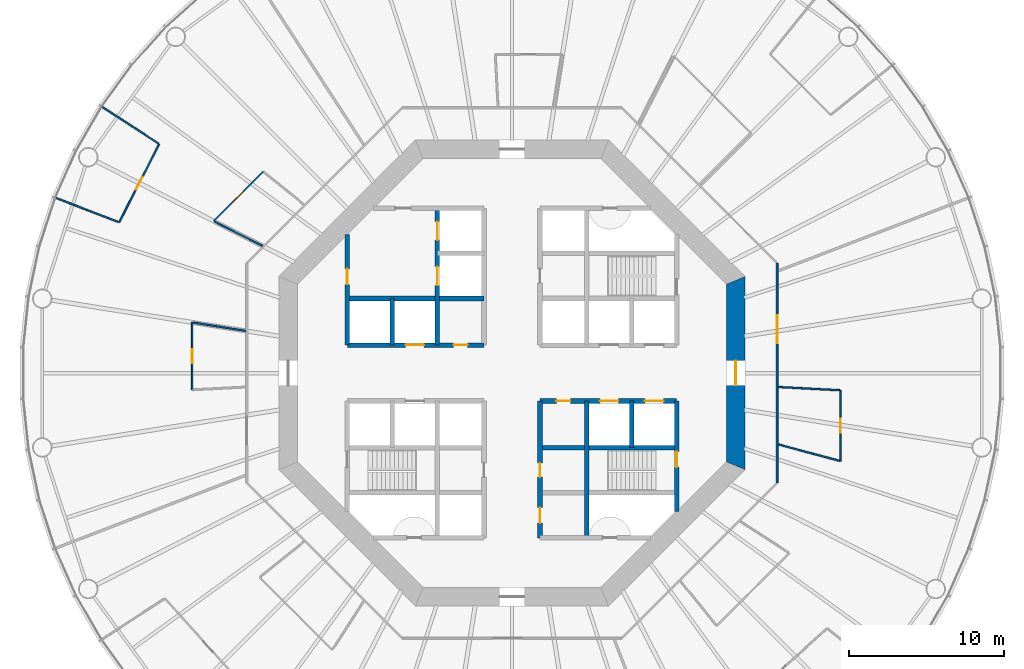
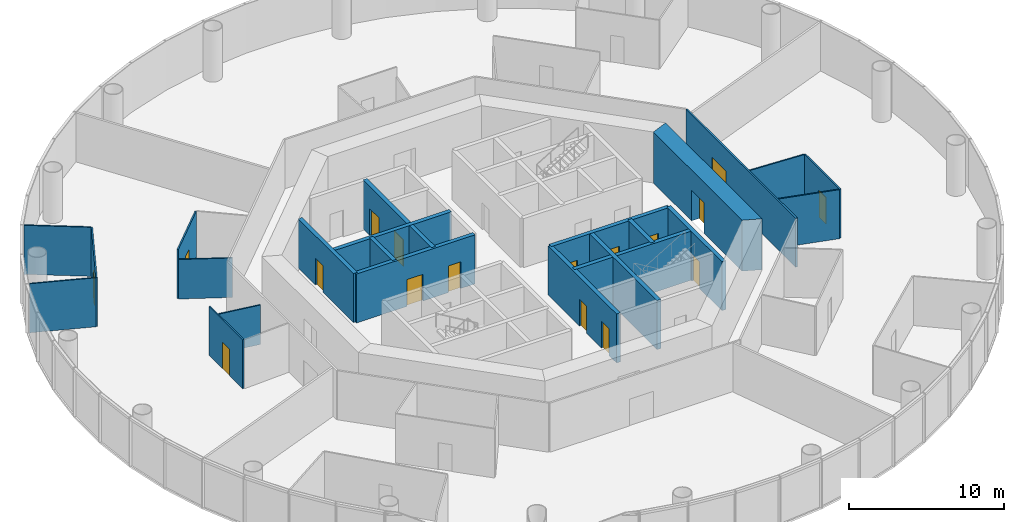
# One storey, part 4 of 13: 23 walls, 17 doors, 17 openings.
"""IFC4 building model written with IfcOpenShell, lengths in metres."""

from ifc_helpers import new_model, si_unit, direction, frame, frame_2d, origin, place, context, subcontext, project, spatial, polyline, rectangle, outline, extrude, material, layer, layer_set, type_object, element, fill, save


model = new_model("IFC4")

# Units and contexts
model_context = context("Model", 3, precision=1e-05, world=origin(), true_north=direction((0.0, 1.0)))
body_context = subcontext(model_context, "Body", "Model", "MODEL_VIEW")
ifc_project = project(units=[si_unit("LENGTHUNIT", "METRE"), si_unit("AREAUNIT", "SQUARE_METRE"), si_unit("VOLUMEUNIT", "CUBIC_METRE"), si_unit("PLANEANGLEUNIT", "RADIAN"), si_unit("MASSUNIT", "GRAM", prefix="KILO")], contexts=[model_context])

# Site, building, storey
site_placement = place(None, origin())
site = spatial("IfcSite", under=ifc_project, at=site_placement, CompositionType="ELEMENT")
building_placement = place(site_placement, origin())
building = spatial("IfcBuilding", under=site, at=building_placement, Name="Entoto Ring Tower", CompositionType="ELEMENT")
storey_placement = place(building_placement, frame((0.0, 0.0, 104.0)))
storey = spatial("IfcBuildingStorey", under=building, at=storey_placement, Name="L23", CompositionType="ELEMENT", Elevation=104.0)

# Wall, opening, door
ifc_material_1 = material(Name="Concrete C40/50", Category="concrete")
ifc_layer_1 = layer(ifc_material_1, 0.300048828125)
ifc_layer_set_1 = layer_set([ifc_layer_1], Name="Concrete C40/50")
wall_type_1 = type_object("IfcWallType", Name="Core enclosure wall 300 mm reinforced concrete", PredefinedType="SOLIDWALL", material=ifc_layer_set_1)
wall_1_placement = place(storey_placement, frame((100.60009765625, 71.083984375, 0.0), z_axis=(0.0, 0.0, 1.0), x_axis=(0.0, 1.0, 0.0)))
wall_1 = element("IfcWall", 1, at=wall_1_placement, inside=storey, type_object=wall_type_1, Name="wall-L23-001", PredefinedType="SOLIDWALL", context=body_context, shape_type="SweptSolid", body=[
    extrude(rectangle(XDim=7.115966796875, YDim=0.300048828125, at=frame_2d((3.55810546875, 0.0))), origin(), (0.0, 0.0, 1.0), 3.85009765625),
])
opening_1_placement = place(wall_1_placement, frame((2.8662109375, 0.0, 0.0)))
opening_1 = element("IfcOpeningElement", 2, at=opening_1_placement, cuts=wall_1, Name="Opening K-61", PredefinedType="OPENING", context=body_context, shape_type="SweptSolid", body=[
    extrude(rectangle(XDim=1.0, YDim=2.10009765625, at=frame_2d((0.5, 1.050048828125))), frame((0.0, 0.16015625, 0.0), z_axis=(0.0, -1.0, 0.0), x_axis=(1.0, 0.0, 0.0)), (0.0, 0.0, 1.0), 0.320068359375),
])
ifc_material_2 = material(Name="Steel door leaf, fire rated", Category="steel")
ifc_layer_2 = layer(ifc_material_2, 0.050048828125)
ifc_layer_set_2 = layer_set([ifc_layer_2], Name="Steel door leaf, fire rated")
door_type_1 = type_object("IfcDoorType", Name="Fire door FD60 1000 x 2100 single leaf", OperationType="NOTDEFINED", PredefinedType="DOOR", material=ifc_layer_set_2)
door_1_placement = place(opening_1_placement, origin())
door_1 = element("IfcDoor", 3, at=door_1_placement, inside=storey, type_object=door_type_1, Name="Door K-61", OperationType="SINGLE_SWING_RIGHT", OverallHeight=2.10009765625, OverallWidth=1.0, PredefinedType="DOOR", context=body_context, shape_type="SweptSolid", body=[
    extrude(rectangle(XDim=1.0, YDim=2.10009765625, at=frame_2d((0.5, 1.050048828125))), frame((0.0, 0.02490234375, 0.0), z_axis=(0.0, -1.0, 0.0), x_axis=(1.0, 0.0, 0.0)), (0.0, 0.0, 1.0), 0.050048828125),
])
fill(opening_1, door_1)

# Walls
wall_2_placement = place(storey_placement, frame((97.699951171875, 75.199951171875, 0.0), z_axis=(0.0, 0.0, 1.0), x_axis=(0.0, 1.0, 0.0)))
element("IfcWall", 4, at=wall_2_placement, inside=storey, type_object=wall_type_1, Name="wall-L23-003", PredefinedType="SOLIDWALL", context=body_context, shape_type="SweptSolid", body=[
    extrude(rectangle(XDim=3.0, YDim=0.300048828125, at=frame_2d((1.5, 0.0))), origin(), (0.0, 0.0, 1.0), 3.85009765625),
])
wall_3_placement = place(storey_placement, frame((94.800048828125, 69.39990234375, 0.0), z_axis=(0.0, 0.0, 1.0), x_axis=(0.0, 1.0, 0.0)))
element("IfcWall", 5, at=wall_3_placement, inside=storey, type_object=wall_type_1, Name="wall-L23-005", PredefinedType="SOLIDWALL", context=body_context, shape_type="SweptSolid", body=[
    extrude(rectangle(XDim=8.800048828125, YDim=0.300048828125, at=frame_2d((4.39990234375, 0.0))), origin(), (0.0, 0.0, 1.0), 3.85009765625),
])

# Wall, openings, doors
wall_4_placement = place(storey_placement, frame((91.800048828125, 69.39990234375, 0.0), z_axis=(0.0, 0.0, 1.0), x_axis=(0.0, 1.0, 0.0)))
wall_4 = element("IfcWall", 6, at=wall_4_placement, inside=storey, type_object=wall_type_1, Name="wall-L23-007", PredefinedType="SOLIDWALL", context=body_context, shape_type="SweptSolid", body=[
    extrude(rectangle(XDim=8.800048828125, YDim=0.300048828125, at=frame_2d((4.39990234375, 0.0))), origin(), (0.0, 0.0, 1.0), 3.85009765625),
])
opening_2_placement = place(wall_4_placement, frame((3.89990234375, 0.0, 0.0)))
opening_2 = element("IfcOpeningElement", 7, at=opening_2_placement, cuts=wall_4, Name="Opening K-12", PredefinedType="OPENING", context=body_context, shape_type="SweptSolid", body=[
    extrude(rectangle(XDim=0.89990234375, YDim=2.10009765625, at=frame_2d((0.449951171875, 1.050048828125))), frame((0.0, 0.16015625, 0.0), z_axis=(0.0, -1.0, 0.0), x_axis=(1.0, 0.0, 0.0)), (0.0, 0.0, 1.0), 0.320068359375),
])
opening_3_placement = place(wall_4_placement, frame((0.949951171875, 0.0, 0.0)))
opening_3 = element("IfcOpeningElement", 8, at=opening_3_placement, cuts=wall_4, Name="Opening K-13", PredefinedType="OPENING", context=body_context, shape_type="SweptSolid", body=[
    extrude(rectangle(XDim=1.0, YDim=2.10009765625, at=frame_2d((0.5, 1.050048828125))), frame((0.0, 0.16015625, 0.0), z_axis=(0.0, -1.0, 0.0), x_axis=(1.0, 0.0, 0.0)), (0.0, 0.0, 1.0), 0.320068359375),
])
ifc_material_3 = material(Name="Steel door leaf, fire rated", Category="steel")
ifc_layer_3 = layer(ifc_material_3, 0.050048828125)
ifc_layer_set_3 = layer_set([ifc_layer_3], Name="Steel door leaf, fire rated")
door_type_2 = type_object("IfcDoorType", Name="Accessible door 1000 x 2100 single leaf", OperationType="NOTDEFINED", PredefinedType="DOOR", material=ifc_layer_set_3)
door_2_placement = place(opening_3_placement, frame((1.0, 0.0, 0.0), z_axis=(0.0, 0.0, 1.0), x_axis=(-1.0, 0.0, 0.0)))
door_2 = element("IfcDoor", 9, at=door_2_placement, inside=storey, type_object=door_type_2, Name="Door K-13", OperationType="SINGLE_SWING_LEFT", OverallHeight=2.10009765625, OverallWidth=1.0, PredefinedType="DOOR", context=body_context, shape_type="SweptSolid", body=[
    extrude(rectangle(XDim=1.0, YDim=2.10009765625, at=frame_2d((0.5, 1.050048828125))), frame((0.0, 0.02490234375, 0.0), z_axis=(0.0, -1.0, 0.0), x_axis=(1.0, 0.0, 0.0)), (0.0, 0.0, 1.0), 0.050048828125),
])
fill(opening_3, door_2)
ifc_material_4 = material(Name="Steel door leaf, fire rated", Category="steel")
ifc_layer_4 = layer(ifc_material_4, 0.050048828125)
ifc_layer_set_4 = layer_set([ifc_layer_4], Name="Steel door leaf, fire rated")
door_type_3 = type_object("IfcDoorType", Name="Core door 900 x 2100 single leaf", OperationType="NOTDEFINED", PredefinedType="DOOR", material=ifc_layer_set_4)
door_3_placement = place(opening_2_placement, frame((0.89990234375, 0.0, 0.0), z_axis=(0.0, 0.0, 1.0), x_axis=(-1.0, 0.0, 0.0)))
door_3 = element("IfcDoor", 10, at=door_3_placement, inside=storey, type_object=door_type_3, Name="Door K-12", OperationType="SINGLE_SWING_LEFT", OverallHeight=2.10009765625, OverallWidth=0.89990234375, PredefinedType="DOOR", context=body_context, shape_type="SweptSolid", body=[
    extrude(rectangle(XDim=0.89990234375, YDim=2.10009765625, at=frame_2d((0.449951171875, 1.050048828125))), frame((0.0, 0.02490234375, 0.0), z_axis=(0.0, -1.0, 0.0), x_axis=(1.0, 0.0, 0.0)), (0.0, 0.0, 1.0), 0.050048828125),
])
fill(opening_2, door_3)

wall_5_placement = place(storey_placement, frame((85.199951171875, 81.800048828125, 0.0), z_axis=(0.0, 0.0, 1.0), x_axis=(0.0, 1.0, 0.0)))
wall_5 = element("IfcWall", 11, at=wall_5_placement, inside=storey, type_object=wall_type_1, Name="wall-L23-012", PredefinedType="SOLIDWALL", context=body_context, shape_type="SweptSolid", body=[
    extrude(rectangle(XDim=8.800048828125, YDim=0.300048828125, at=frame_2d((4.39990234375, 0.0))), origin(), (0.0, 0.0, 1.0), 3.85009765625),
])
opening_4_placement = place(wall_5_placement, frame((3.85009765625, 0.0, 0.0)))
opening_4 = element("IfcOpeningElement", 12, at=opening_4_placement, cuts=wall_5, Name="Opening LD", PredefinedType="OPENING", context=body_context, shape_type="SweptSolid", body=[
    extrude(rectangle(XDim=1.199951171875, YDim=2.10009765625, at=frame_2d((0.60009765625, 1.050048828125))), frame((0.0, 0.16015625, 0.0), z_axis=(0.0, -1.0, 0.0), x_axis=(1.0, 0.0, 0.0)), (0.0, 0.0, 1.0), 0.320068359375),
])
opening_5_placement = place(wall_5_placement, frame((6.75, 0.0, 0.0)))
opening_5 = element("IfcOpeningElement", 13, at=opening_5_placement, cuts=wall_5, Name="Opening LD", PredefinedType="OPENING", context=body_context, shape_type="SweptSolid", body=[
    extrude(rectangle(XDim=1.199951171875, YDim=2.10009765625, at=frame_2d((0.60009765625, 1.050048828125))), frame((0.0, 0.16015625, 0.0), z_axis=(0.0, -1.0, 0.0), x_axis=(1.0, 0.0, 0.0)), (0.0, 0.0, 1.0), 0.320068359375),
])
ifc_material_5 = material(Name="Steel and glass door leaf", Category="steel")
ifc_layer_5 = layer(ifc_material_5, 0.050048828125)
ifc_layer_set_5 = layer_set([ifc_layer_5], Name="Steel and glass door leaf")
door_type_4 = type_object("IfcDoorType", Name="Landing door 1200 x 2100 sliding", OperationType="DOUBLE_DOOR_SLIDING", PredefinedType="DOOR", material=ifc_layer_set_5)
door_4_placement = place(opening_4_placement, origin())
door_4 = element("IfcDoor", 14, at=door_4_placement, inside=storey, type_object=door_type_4, Name="Landing door FF1", OperationType="SLIDING_TO_RIGHT", OverallHeight=2.10009765625, OverallWidth=1.199951171875, PredefinedType="DOOR", context=body_context, shape_type="SweptSolid", body=[
    extrude(rectangle(XDim=1.199951171875, YDim=2.10009765625, at=frame_2d((0.60009765625, 1.050048828125))), frame((0.0, 0.02490234375, 0.0), z_axis=(0.0, -1.0, 0.0), x_axis=(1.0, 0.0, 0.0)), (0.0, 0.0, 1.0), 0.050048828125),
])
fill(opening_4, door_4)
door_5_placement = place(opening_5_placement, origin())
door_5 = element("IfcDoor", 15, at=door_5_placement, inside=storey, type_object=door_type_4, Name="Landing door FF2", OperationType="SLIDING_TO_RIGHT", OverallHeight=2.10009765625, OverallWidth=1.199951171875, PredefinedType="DOOR", context=body_context, shape_type="SweptSolid", body=[
    extrude(rectangle(XDim=1.199951171875, YDim=2.10009765625, at=frame_2d((0.60009765625, 1.050048828125))), frame((0.0, 0.02490234375, 0.0), z_axis=(0.0, -1.0, 0.0), x_axis=(1.0, 0.0, 0.0)), (0.0, 0.0, 1.0), 0.050048828125),
])
fill(opening_5, door_5)

# Wall
wall_6_placement = place(storey_placement, frame((82.300048828125, 81.800048828125, 0.0), z_axis=(0.0, 0.0, 1.0), x_axis=(0.0, 1.0, 0.0)))
element("IfcWall", 16, at=wall_6_placement, inside=storey, type_object=wall_type_1, Name="wall-L23-014", PredefinedType="SOLIDWALL", context=body_context, shape_type="SweptSolid", body=[
    extrude(rectangle(XDim=3.0, YDim=0.300048828125, at=frame_2d((1.5, 0.0))), origin(), (0.0, 0.0, 1.0), 3.85009765625),
])

# Wall, opening, door
wall_7_placement = place(storey_placement, frame((79.39990234375, 81.800048828125, 0.0), z_axis=(0.0, 0.0, 1.0), x_axis=(0.0, 1.0, 0.0)))
wall_7 = element("IfcWall", 17, at=wall_7_placement, inside=storey, type_object=wall_type_1, Name="wall-L23-016", PredefinedType="SOLIDWALL", context=body_context, shape_type="SweptSolid", body=[
    extrude(rectangle(XDim=7.115966796875, YDim=0.300048828125, at=frame_2d((3.55810546875, 0.0))), origin(), (0.0, 0.0, 1.0), 3.85009765625),
])
opening_6_placement = place(wall_7_placement, frame((3.89990234375, 0.0, 0.0)))
opening_6 = element("IfcOpeningElement", 18, at=opening_6_placement, cuts=wall_7, Name="Opening K-23", PredefinedType="OPENING", context=body_context, shape_type="SweptSolid", body=[
    extrude(rectangle(XDim=1.0, YDim=2.10009765625, at=frame_2d((0.5, 1.050048828125))), frame((0.0, 0.16015625, 0.0), z_axis=(0.0, -1.0, 0.0), x_axis=(1.0, 0.0, 0.0)), (0.0, 0.0, 1.0), 0.320068359375),
])
door_6_placement = place(opening_6_placement, frame((1.0, 0.0, 0.0), z_axis=(0.0, 0.0, 1.0), x_axis=(-1.0, 0.0, 0.0)))
door_6 = element("IfcDoor", 19, at=door_6_placement, inside=storey, type_object=door_type_1, Name="Door K-23", OperationType="SINGLE_SWING_LEFT", OverallHeight=2.10009765625, OverallWidth=1.0, PredefinedType="DOOR", context=body_context, shape_type="SweptSolid", body=[
    extrude(rectangle(XDim=1.0, YDim=2.10009765625, at=frame_2d((0.5, 1.050048828125))), frame((0.0, 0.02490234375, 0.0), z_axis=(0.0, -1.0, 0.0), x_axis=(1.0, 0.0, 0.0)), (0.0, 0.0, 1.0), 0.050048828125),
])
fill(opening_6, door_6)

# Wall
wall_8_placement = place(storey_placement, frame((91.800048828125, 75.199951171875, 0.0), z_axis=(0.0, 0.0, 1.0), x_axis=(1.0, 0.0, 0.0)))
element("IfcWall", 20, at=wall_8_placement, inside=storey, type_object=wall_type_1, Name="wall-L23-022", PredefinedType="SOLIDWALL", context=body_context, shape_type="SweptSolid", body=[
    extrude(rectangle(XDim=8.800048828125, YDim=0.300048828125, at=frame_2d((4.39990234375, 0.0))), origin(), (0.0, 0.0, 1.0), 3.85009765625),
])

# Wall, openings, doors
wall_9_placement = place(storey_placement, frame((91.800048828125, 78.199951171875, 0.0), z_axis=(0.0, 0.0, 1.0), x_axis=(1.0, 0.0, 0.0)))
wall_9 = element("IfcWall", 21, at=wall_9_placement, inside=storey, type_object=wall_type_1, Name="wall-L23-024", PredefinedType="SOLIDWALL", context=body_context, shape_type="SweptSolid", body=[
    extrude(rectangle(XDim=8.800048828125, YDim=0.300048828125, at=frame_2d((4.39990234375, 0.0))), origin(), (0.0, 0.0, 1.0), 3.85009765625),
])
opening_7_placement = place(wall_9_placement, frame((3.85009765625, 0.0, 0.0)))
opening_7 = element("IfcOpeningElement", 22, at=opening_7_placement, cuts=wall_9, Name="Opening LD", PredefinedType="OPENING", context=body_context, shape_type="SweptSolid", body=[
    extrude(rectangle(XDim=1.199951171875, YDim=2.10009765625, at=frame_2d((0.60009765625, 1.050048828125))), frame((0.0, 0.16015625, 0.0), z_axis=(0.0, -1.0, 0.0), x_axis=(1.0, 0.0, 0.0)), (0.0, 0.0, 1.0), 0.320068359375),
])
opening_8_placement = place(wall_9_placement, frame((6.75, 0.0, 0.0)))
opening_8 = element("IfcOpeningElement", 23, at=opening_8_placement, cuts=wall_9, Name="Opening LD", PredefinedType="OPENING", context=body_context, shape_type="SweptSolid", body=[
    extrude(rectangle(XDim=1.199951171875, YDim=2.10009765625, at=frame_2d((0.60009765625, 1.050048828125))), frame((0.0, 0.16015625, 0.0), z_axis=(0.0, -1.0, 0.0), x_axis=(1.0, 0.0, 0.0)), (0.0, 0.0, 1.0), 0.320068359375),
])
opening_9_placement = place(wall_9_placement, frame((1.050048828125, 0.0, 0.0)))
opening_9 = element("IfcOpeningElement", 24, at=opening_9_placement, cuts=wall_9, Name="Opening K-16", PredefinedType="OPENING", context=body_context, shape_type="SweptSolid", body=[
    extrude(rectangle(XDim=0.89990234375, YDim=2.10009765625, at=frame_2d((0.449951171875, 1.050048828125))), frame((0.0, 0.16015625, 0.0), z_axis=(0.0, -1.0, 0.0), x_axis=(1.0, 0.0, 0.0)), (0.0, 0.0, 1.0), 0.320068359375),
])
door_7_placement = place(opening_9_placement, frame((0.89990234375, 0.0, 0.0), z_axis=(0.0, 0.0, 1.0), x_axis=(-1.0, 0.0, 0.0)))
door_7 = element("IfcDoor", 25, at=door_7_placement, inside=storey, type_object=door_type_3, Name="Door K-16", OperationType="SINGLE_SWING_RIGHT", OverallHeight=2.10009765625, OverallWidth=0.89990234375, PredefinedType="DOOR", context=body_context, shape_type="SweptSolid", body=[
    extrude(rectangle(XDim=0.89990234375, YDim=2.10009765625, at=frame_2d((0.449951171875, 1.050048828125))), frame((0.0, 0.02490234375, 0.0), z_axis=(0.0, -1.0, 0.0), x_axis=(1.0, 0.0, 0.0)), (0.0, 0.0, 1.0), 0.050048828125),
])
fill(opening_9, door_7)
door_8_placement = place(opening_7_placement, origin())
door_8 = element("IfcDoor", 26, at=door_8_placement, inside=storey, type_object=door_type_4, Name="Landing door LB4-LR", OperationType="SLIDING_TO_RIGHT", OverallHeight=2.10009765625, OverallWidth=1.199951171875, PredefinedType="DOOR", context=body_context, shape_type="SweptSolid", body=[
    extrude(rectangle(XDim=1.199951171875, YDim=2.10009765625, at=frame_2d((0.60009765625, 1.050048828125))), frame((0.0, 0.02490234375, 0.0), z_axis=(0.0, -1.0, 0.0), x_axis=(1.0, 0.0, 0.0)), (0.0, 0.0, 1.0), 0.050048828125),
])
fill(opening_7, door_8)
door_9_placement = place(opening_8_placement, origin())
door_9 = element("IfcDoor", 27, at=door_9_placement, inside=storey, type_object=door_type_4, Name="Landing door LB5-LR", OperationType="SLIDING_TO_RIGHT", OverallHeight=2.10009765625, OverallWidth=1.199951171875, PredefinedType="DOOR", context=body_context, shape_type="SweptSolid", body=[
    extrude(rectangle(XDim=1.199951171875, YDim=2.10009765625, at=frame_2d((0.60009765625, 1.050048828125))), frame((0.0, 0.02490234375, 0.0), z_axis=(0.0, -1.0, 0.0), x_axis=(1.0, 0.0, 0.0)), (0.0, 0.0, 1.0), 0.050048828125),
])
fill(opening_8, door_9)

wall_10_placement = place(storey_placement, frame((79.39990234375, 81.800048828125, 0.0), z_axis=(0.0, 0.0, 1.0), x_axis=(1.0, 0.0, 0.0)))
wall_10 = element("IfcWall", 28, at=wall_10_placement, inside=storey, type_object=wall_type_1, Name="wall-L23-025", PredefinedType="SOLIDWALL", context=body_context, shape_type="SweptSolid", body=[
    extrude(rectangle(XDim=8.800048828125, YDim=0.300048828125, at=frame_2d((4.39990234375, 0.0))), origin(), (0.0, 0.0, 1.0), 3.85009765625),
])
opening_10_placement = place(wall_10_placement, frame((3.75, 0.0, 0.0)))
opening_10 = element("IfcOpeningElement", 29, at=opening_10_placement, cuts=wall_10, Name="Opening LD", PredefinedType="OPENING", context=body_context, shape_type="SweptSolid", body=[
    extrude(rectangle(XDim=1.199951171875, YDim=2.10009765625, at=frame_2d((0.60009765625, 1.050048828125))), frame((0.0, 0.16015625, 0.0), z_axis=(0.0, -1.0, 0.0), x_axis=(1.0, 0.0, 0.0)), (0.0, 0.0, 1.0), 0.320068359375),
])
opening_11_placement = place(wall_10_placement, frame((6.85009765625, 0.0, 0.0)))
opening_11 = element("IfcOpeningElement", 30, at=opening_11_placement, cuts=wall_10, Name="Opening K-15", PredefinedType="OPENING", context=body_context, shape_type="SweptSolid", body=[
    extrude(rectangle(XDim=0.89990234375, YDim=2.10009765625, at=frame_2d((0.449951171875, 1.050048828125))), frame((0.0, 0.16015625, 0.0), z_axis=(0.0, -1.0, 0.0), x_axis=(1.0, 0.0, 0.0)), (0.0, 0.0, 1.0), 0.320068359375),
])
door_10_placement = place(opening_11_placement, frame((0.89990234375, 0.0, 0.0), z_axis=(0.0, 0.0, 1.0), x_axis=(-1.0, 0.0, 0.0)))
door_10 = element("IfcDoor", 31, at=door_10_placement, inside=storey, type_object=door_type_3, Name="Door K-15", OperationType="SINGLE_SWING_RIGHT", OverallHeight=2.10009765625, OverallWidth=0.89990234375, PredefinedType="DOOR", context=body_context, shape_type="SweptSolid", body=[
    extrude(rectangle(XDim=0.89990234375, YDim=2.10009765625, at=frame_2d((0.449951171875, 1.050048828125))), frame((0.0, 0.02490234375, 0.0), z_axis=(0.0, -1.0, 0.0), x_axis=(1.0, 0.0, 0.0)), (0.0, 0.0, 1.0), 0.050048828125),
])
fill(opening_11, door_10)
door_11_placement = place(opening_10_placement, origin())
door_11 = element("IfcDoor", 32, at=door_11_placement, inside=storey, type_object=door_type_4, Name="Landing door LB3-LR", OperationType="SLIDING_TO_RIGHT", OverallHeight=2.10009765625, OverallWidth=1.199951171875, PredefinedType="DOOR", context=body_context, shape_type="SweptSolid", body=[
    extrude(rectangle(XDim=1.199951171875, YDim=2.10009765625, at=frame_2d((0.60009765625, 1.050048828125))), frame((0.0, 0.02490234375, 0.0), z_axis=(0.0, -1.0, 0.0), x_axis=(1.0, 0.0, 0.0)), (0.0, 0.0, 1.0), 0.050048828125),
])
fill(opening_10, door_11)

# Wall
wall_11_placement = place(storey_placement, frame((79.39990234375, 84.800048828125, 0.0), z_axis=(0.0, 0.0, 1.0), x_axis=(1.0, 0.0, 0.0)))
element("IfcWall", 33, at=wall_11_placement, inside=storey, type_object=wall_type_1, Name="wall-L23-027", PredefinedType="SOLIDWALL", context=body_context, shape_type="SweptSolid", body=[
    extrude(rectangle(XDim=8.800048828125, YDim=0.300048828125, at=frame_2d((4.39990234375, 0.0))), origin(), (0.0, 0.0, 1.0), 3.85009765625),
])

# Wall, opening, door
ifc_material_6 = material(Name="Concrete C60/75", Category="concrete")
ifc_layer_6 = layer(ifc_material_6, 1.199951171875)
ifc_layer_set_6 = layer_set([ifc_layer_6], Name="Concrete C60/75")
wall_type_2 = type_object("IfcWallType", Name="Core shear wall 1200 mm reinforced concrete C60/75", PredefinedType="SHEAR", material=ifc_layer_set_6)
wall_12_placement = place(storey_placement, frame((104.39990234375, 74.035400390625, 0.0), z_axis=(0.0, 0.0, 1.0), x_axis=(0.0, 1.0, 0.0)))
wall_12 = element("IfcWall", 34, at=wall_12_placement, inside=storey, type_object=wall_type_2, Name="wall-L23-core-0", PredefinedType="SHEAR", context=body_context, shape_type="SweptSolid", body=[
    extrude(outline(polyline([(-0.24853515625, -0.60009765625), (12.177734375, -0.60009765625), (11.6806640625, 0.60009765625), (0.24853515625, 0.60009765625), (-0.24853515625, -0.60009765625)])), origin(), (0.0, 0.0, 1.0), 4.0),
])
opening_12_placement = place(wall_12_placement, frame((5.164794921875, 0.0, 0.0)))
opening_12 = element("IfcOpeningElement", 35, at=opening_12_placement, cuts=wall_12, Name="Opening K-01", PredefinedType="OPENING", context=body_context, shape_type="SweptSolid", body=[
    extrude(rectangle(XDim=1.60009765625, YDim=2.39990234375, at=frame_2d((0.800048828125, 1.199951171875))), frame((0.0, 0.60986328125, 0.0), z_axis=(0.0, -1.0, 0.0), x_axis=(1.0, 0.0, 0.0)), (0.0, 0.0, 1.0), 1.219970703125),
])
ifc_material_7 = material(Name="Steel door leaf, fire rated", Category="steel")
ifc_layer_7 = layer(ifc_material_7, 0.050048828125)
ifc_layer_set_7 = layer_set([ifc_layer_7], Name="Steel door leaf, fire rated")
door_type_5 = type_object("IfcDoorType", Name="Entrance door FD60 1600 x 2400 double leaf", OperationType="DOUBLE_DOOR_SINGLE_SWING", PredefinedType="DOOR", material=ifc_layer_set_7)
door_12_placement = place(opening_12_placement, origin())
door_12 = element("IfcDoor", 36, at=door_12_placement, inside=storey, type_object=door_type_5, Name="Entrance door K-01", OperationType="DOUBLE_DOOR_SINGLE_SWING", OverallHeight=2.39990234375, OverallWidth=1.60009765625, PredefinedType="DOOR", context=body_context, shape_type="SweptSolid", body=[
    extrude(rectangle(XDim=1.60009765625, YDim=2.39990234375, at=frame_2d((0.800048828125, 1.199951171875))), frame((0.0, 0.02490234375, 0.0), z_axis=(0.0, -1.0, 0.0), x_axis=(1.0, 0.0, 0.0)), (0.0, 0.0, 1.0), 0.050048828125),
])
fill(opening_12, door_12)

ifc_material_8 = material(Name="Fire-resisting plasterboard on steel studs", Category="steel")
ifc_layer_8 = layer(ifc_material_8, 0.125)
ifc_layer_set_8 = layer_set([ifc_layer_8], Name="Fire-resisting plasterboard on steel studs")
wall_type_3 = type_object("IfcWallType", Name="Corridor wall 125 mm one-hour plasterboard on steel studs", PredefinedType="PARTITIONING", material=ifc_layer_set_8)
wall_13_placement = place(storey_placement, frame((107.0625, 72.9326171875, 0.0), z_axis=(0.0, 0.0, 1.0), x_axis=(0.0, 1.0, 0.0)))
wall_13 = element("IfcWall", 37, at=wall_13_placement, inside=storey, type_object=wall_type_3, Name="partition-L23-004", PredefinedType="PARTITIONING", context=body_context, shape_type="SweptSolid", body=[
    extrude(rectangle(XDim=14.134765625, YDim=0.125, at=frame_2d((7.0673828125, 0.0))), origin(), (0.0, 0.0, 1.0), 3.85009765625),
])
opening_13_placement = place(wall_13_placement, frame((8.995361328125, 0.0, 0.0)))
opening_13 = element("IfcOpeningElement", 38, at=opening_13_placement, cuts=wall_13, Name="Opening A10-D12", PredefinedType="OPENING", context=body_context, shape_type="SweptSolid", body=[
    extrude(rectangle(XDim=1.800048828125, YDim=2.10009765625, at=frame_2d((0.89990234375, 1.050048828125))), frame((0.0, 0.072509765625, 0.0), z_axis=(0.0, -1.0, 0.0), x_axis=(1.0, 0.0, 0.0)), (0.0, 0.0, 1.0), 0.14501953125),
])
ifc_material_9 = material(Name="Fire-resisting timber door set", Category="wood")
door_type_6 = type_object("IfcDoorType", Name="Door 1800 x 2100 double leaf FD30S fire door", OperationType="DOUBLE_DOOR_SINGLE_SWING", PredefinedType="DOOR", material=ifc_material_9)
door_13_placement = place(opening_13_placement, frame((1.800048828125, 0.0, 0.0), z_axis=(0.0, 0.0, 1.0), x_axis=(-1.0, 0.0, 0.0)))
door_13 = element("IfcDoor", 39, at=door_13_placement, inside=storey, type_object=door_type_6, Name="Door A10-D12", OperationType="DOUBLE_DOOR_SINGLE_SWING", OverallHeight=2.10009765625, OverallWidth=1.800048828125, PredefinedType="DOOR", context=body_context, shape_type="SweptSolid", body=[
    extrude(rectangle(XDim=1.800048828125, YDim=2.10009765625, at=frame_2d((0.89990234375, 1.050048828125))), frame((0.0, 0.02490234375, 0.0), z_axis=(0.0, -1.0, 0.0), x_axis=(1.0, 0.0, 0.0)), (0.0, 0.0, 1.0), 0.050048828125),
])
fill(opening_13, door_13)

ifc_material_10 = material(Name="Plasterboard on steel studs", Category="steel")
ifc_layer_9 = layer(ifc_material_10, 0.10009765625)
ifc_layer_set_9 = layer_set([ifc_layer_9], Name="Plasterboard on steel studs")
wall_type_4 = type_object("IfcWallType", Name="Partition 100 mm plasterboard on steel studs", PredefinedType="PARTITIONING", material=ifc_layer_set_9)
wall_14_placement = place(storey_placement, frame((64.72802734375, 89.700927734375, 0.0), z_axis=(0.0, 0.0, 1.0), x_axis=(0.453965202268, 0.891019413442, 0.0)))
wall_14 = element("IfcWall", 40, at=wall_14_placement, inside=storey, type_object=wall_type_4, Name="partition-L23-018", PredefinedType="PARTITIONING", context=body_context, shape_type="SweptSolid", body=[
    extrude(rectangle(XDim=5.6591796875, YDim=0.10009765625, at=frame_2d((2.82958984375, 0.0))), origin(), (0.0, 0.0, 1.0), 3.85009765625),
])
opening_14_placement = place(wall_14_placement, frame((2.379638671875, 0.0, 0.0)))
opening_14 = element("IfcOpeningElement", 41, at=opening_14_placement, cuts=wall_14, Name="Opening A10-D08", PredefinedType="OPENING", context=body_context, shape_type="SweptSolid", body=[
    extrude(rectangle(XDim=0.89990234375, YDim=2.10009765625, at=frame_2d((0.449951171875, 1.050048828125))), frame((0.0, 0.06005859375, 0.0), z_axis=(0.0, -1.0, 0.0), x_axis=(1.0, 0.0, 0.0)), (0.0, 0.0, 1.0), 0.1201171875),
])
ifc_material_11 = material(Name="Veneered timber door leaf in timber frame", Category="wood")
door_type_7 = type_object("IfcDoorType", Name="Door 900 x 2100 single leaf timber veneer", OperationType="NOTDEFINED", PredefinedType="DOOR", material=ifc_material_11)
door_14_placement = place(opening_14_placement, origin())
door_14 = element("IfcDoor", 42, at=door_14_placement, inside=storey, type_object=door_type_7, Name="Door A10-D08", OperationType="SINGLE_SWING_LEFT", OverallHeight=2.10009765625, OverallWidth=0.89990234375, PredefinedType="DOOR", context=body_context, shape_type="SweptSolid", body=[
    extrude(rectangle(XDim=0.89990234375, YDim=2.10009765625, at=frame_2d((0.449951171875, 1.050048828125))), frame((0.0, 0.02490234375, 0.0), z_axis=(0.0, -1.0, 0.0), x_axis=(1.0, 0.0, 0.0)), (0.0, 0.0, 1.0), 0.050048828125),
])
fill(opening_14, door_14)

wall_15_placement = place(storey_placement, frame((111.132568359375, 74.337646484375, 0.0), z_axis=(0.0, 0.0, 1.0), x_axis=(0.0, 1.0, 0.0)))
wall_15 = element("IfcWall", 43, at=wall_15_placement, inside=storey, type_object=wall_type_4, Name="partition-L23-028", PredefinedType="PARTITIONING", context=body_context, shape_type="SweptSolid", body=[
    extrude(rectangle(XDim=4.554931640625, YDim=0.10009765625, at=frame_2d((2.27734375, 0.0))), origin(), (0.0, 0.0, 1.0), 3.85009765625),
])
opening_15_placement = place(wall_15_placement, frame((1.827392578125, 0.0, 0.0)))
opening_15 = element("IfcOpeningElement", 44, at=opening_15_placement, cuts=wall_15, Name="Opening A10-D14", PredefinedType="OPENING", context=body_context, shape_type="SweptSolid", body=[
    extrude(rectangle(XDim=0.89990234375, YDim=2.10009765625, at=frame_2d((0.449951171875, 1.050048828125))), frame((0.0, 0.06005859375, 0.0), z_axis=(0.0, -1.0, 0.0), x_axis=(1.0, 0.0, 0.0)), (0.0, 0.0, 1.0), 0.1201171875),
])
door_15_placement = place(opening_15_placement, origin())
door_15 = element("IfcDoor", 45, at=door_15_placement, inside=storey, type_object=door_type_7, Name="Door A10-D14", OperationType="SINGLE_SWING_LEFT", OverallHeight=2.10009765625, OverallWidth=0.89990234375, PredefinedType="DOOR", context=body_context, shape_type="SweptSolid", body=[
    extrude(rectangle(XDim=0.89990234375, YDim=2.10009765625, at=frame_2d((0.449951171875, 1.050048828125))), frame((0.0, 0.02490234375, 0.0), z_axis=(0.0, -1.0, 0.0), x_axis=(1.0, 0.0, 0.0)), (0.0, 0.0, 1.0), 0.050048828125),
])
fill(opening_15, door_15)

wall_16_placement = place(storey_placement, frame((70.801513671875, 89.7822265625, 0.0), z_axis=(0.0, 0.0, 1.0), x_axis=(0.707106781187, 0.707106781187, 0.0)))
wall_16 = element("IfcWall", 46, at=wall_16_placement, inside=storey, type_object=wall_type_4, Name="partition-L23-029", PredefinedType="PARTITIONING", context=body_context, shape_type="SweptSolid", body=[
    extrude(rectangle(XDim=4.50439453125, YDim=0.10009765625, at=frame_2d((2.252197265625, 0.0))), origin(), (0.0, 0.0, 1.0), 3.85009765625),
])
opening_16_placement = place(wall_16_placement, frame((1.80224609375, 0.0, 0.0)))
opening_16 = element("IfcOpeningElement", 47, at=opening_16_placement, cuts=wall_16, Name="Opening A10-D06", PredefinedType="OPENING", context=body_context, shape_type="SweptSolid", body=[
    extrude(rectangle(XDim=0.89990234375, YDim=2.10009765625, at=frame_2d((0.449951171875, 1.050048828125))), frame((0.0, 0.06005859375, 0.0), z_axis=(0.0, -1.0, 0.0), x_axis=(1.0, 0.0, 0.0)), (0.0, 0.0, 1.0), 0.1201171875),
])
door_16_placement = place(opening_16_placement, frame((0.89990234375, 0.0, 0.0), z_axis=(0.0, 0.0, 1.0), x_axis=(-1.0, 0.0, 0.0)))
door_16 = element("IfcDoor", 48, at=door_16_placement, inside=storey, type_object=door_type_7, Name="Door A10-D06", OperationType="SINGLE_SWING_RIGHT", OverallHeight=2.10009765625, OverallWidth=0.89990234375, PredefinedType="DOOR", context=body_context, shape_type="SweptSolid", body=[
    extrude(rectangle(XDim=0.89990234375, YDim=2.10009765625, at=frame_2d((0.449951171875, 1.050048828125))), frame((0.0, 0.02490234375, 0.0), z_axis=(0.0, -1.0, 0.0), x_axis=(1.0, 0.0, 0.0)), (0.0, 0.0, 1.0), 0.050048828125),
])
fill(opening_16, door_16)

# Walls
wall_17_placement = place(storey_placement, frame((64.681640625, 89.71875, 0.0), z_axis=(0.0, 0.0, 1.0), x_axis=(-0.933576980361, 0.358376926908, 0.0)))
element("IfcWall", 49, at=wall_17_placement, inside=storey, type_object=wall_type_4, Name="partition-L23-030", PredefinedType="PARTITIONING", context=body_context, shape_type="SweptSolid", body=[
    extrude(rectangle(XDim=4.3203125, YDim=0.10009765625, at=frame_2d((2.16015625, 0.0))), origin(), (0.0, 0.0, 1.0), 3.85009765625),
])
wall_18_placement = place(storey_placement, frame((67.255615234375, 94.7705078125, 0.0), z_axis=(0.0, 0.0, 1.0), x_axis=(-0.838683666773, 0.544618864059, 0.0)))
element("IfcWall", 50, at=wall_18_placement, inside=storey, type_object=wall_type_4, Name="partition-L23-031", PredefinedType="PARTITIONING", context=body_context, shape_type="SweptSolid", body=[
    extrude(rectangle(XDim=4.320556640625, YDim=0.10009765625, at=frame_2d((2.16015625, 0.0))), origin(), (0.0, 0.0, 1.0), 3.85009765625),
])

# Wall, opening, door
wall_19_placement = place(storey_placement, frame((69.41748046875, 78.92138671875, 0.0), z_axis=(0.0, 0.0, 1.0), x_axis=(0.0, 1.0, 0.0)))
wall_19 = element("IfcWall", 51, at=wall_19_placement, inside=storey, type_object=wall_type_4, Name="partition-L23-032", PredefinedType="PARTITIONING", context=body_context, shape_type="SweptSolid", body=[
    extrude(rectangle(XDim=4.338623046875, YDim=0.10009765625, at=frame_2d((2.16943359375, 0.0))), origin(), (0.0, 0.0, 1.0), 3.85009765625),
])
opening_17_placement = place(wall_19_placement, frame((1.71923828125, 0.0, 0.0)))
opening_17 = element("IfcOpeningElement", 52, at=opening_17_placement, cuts=wall_19, Name="Opening A10-D07", PredefinedType="OPENING", context=body_context, shape_type="SweptSolid", body=[
    extrude(rectangle(XDim=0.89990234375, YDim=2.10009765625, at=frame_2d((0.449951171875, 1.050048828125))), frame((0.0, 0.06005859375, 0.0), z_axis=(0.0, -1.0, 0.0), x_axis=(1.0, 0.0, 0.0)), (0.0, 0.0, 1.0), 0.1201171875),
])
door_17_placement = place(opening_17_placement, frame((0.89990234375, 0.0, 0.0), z_axis=(0.0, 0.0, 1.0), x_axis=(-1.0, 0.0, 0.0)))
door_17 = element("IfcDoor", 53, at=door_17_placement, inside=storey, type_object=door_type_7, Name="Door A10-D07", OperationType="SINGLE_SWING_LEFT", OverallHeight=2.10009765625, OverallWidth=0.89990234375, PredefinedType="DOOR", context=body_context, shape_type="SweptSolid", body=[
    extrude(rectangle(XDim=0.89990234375, YDim=2.10009765625, at=frame_2d((0.449951171875, 1.050048828125))), frame((0.0, 0.02490234375, 0.0), z_axis=(0.0, -1.0, 0.0), x_axis=(1.0, 0.0, 0.0)), (0.0, 0.0, 1.0), 0.050048828125),
])
fill(opening_17, door_17)

# Walls
wall_20_placement = place(storey_placement, frame((111.069580078125, 74.3544921875, 0.0), z_axis=(0.0, 0.0, 1.0), x_axis=(-0.965930650438, 0.258801040462, 0.0)))
element("IfcWall", 54, at=wall_20_placement, inside=storey, type_object=wall_type_4, Name="partition-L23-034", PredefinedType="PARTITIONING", context=body_context, shape_type="SweptSolid", body=[
    extrude(rectangle(XDim=4.070556640625, YDim=0.10009765625, at=frame_2d((2.03515625, 0.0))), origin(), (0.0, 0.0, 1.0), 3.85009765625),
])
wall_21_placement = place(storey_placement, frame((111.08251953125, 78.89501953125, 0.0), z_axis=(0.0, 0.0, 1.0), x_axis=(-0.998629385305, 0.052338807835, 0.0)))
element("IfcWall", 55, at=wall_21_placement, inside=storey, type_object=wall_type_4, Name="partition-L23-035", PredefinedType="PARTITIONING", context=body_context, shape_type="SweptSolid", body=[
    extrude(rectangle(XDim=3.960205078125, YDim=0.10009765625, at=frame_2d((1.97998046875, 0.0))), origin(), (0.0, 0.0, 1.0), 3.85009765625),
])
ifc_material_12 = material(Name="Plasterboard on steel studs", Category="steel")
ifc_layer_10 = layer(ifc_material_12, 0.10009765625)
ifc_layer_set_10 = layer_set([ifc_layer_10], Name="Plasterboard on steel studs")
wall_type_5 = type_object("IfcWallType", Name="Partition 100 mm plasterboard on steel studs, 3097 mm high", PredefinedType="PARTITIONING", material=ifc_layer_set_10)
wall_22_placement = place(storey_placement, frame((73.94189453125, 88.181884765625, 0.0), z_axis=(0.0, 0.0, 1.0), x_axis=(-0.89099636542, 0.454010436895, 0.0)))
element("IfcWall", 56, at=wall_22_placement, inside=storey, type_object=wall_type_5, Name="partition-L23-040", PredefinedType="PARTITIONING", context=body_context, shape_type="SweptSolid", body=[
    extrude(rectangle(XDim=3.4560546875, YDim=0.10009765625, at=frame_2d((1.72802734375, 0.0))), origin(), (0.0, 0.0, 1.0), 3.096923828125),
])
wall_23_placement = place(storey_placement, frame((72.8671875, 82.713623046875, 0.0), z_axis=(0.0, 0.0, 1.0), x_axis=(-0.987694857606, 0.156393312706, 0.0)))
element("IfcWall", 57, at=wall_23_placement, inside=storey, type_object=wall_type_5, Name="partition-L23-041", PredefinedType="PARTITIONING", context=body_context, shape_type="SweptSolid", body=[
    extrude(rectangle(XDim=3.434326171875, YDim=0.10009765625, at=frame_2d((1.71728515625, 0.0))), origin(), (0.0, 0.0, 1.0), 3.096923828125),
])

save(model, "model.ifc")
